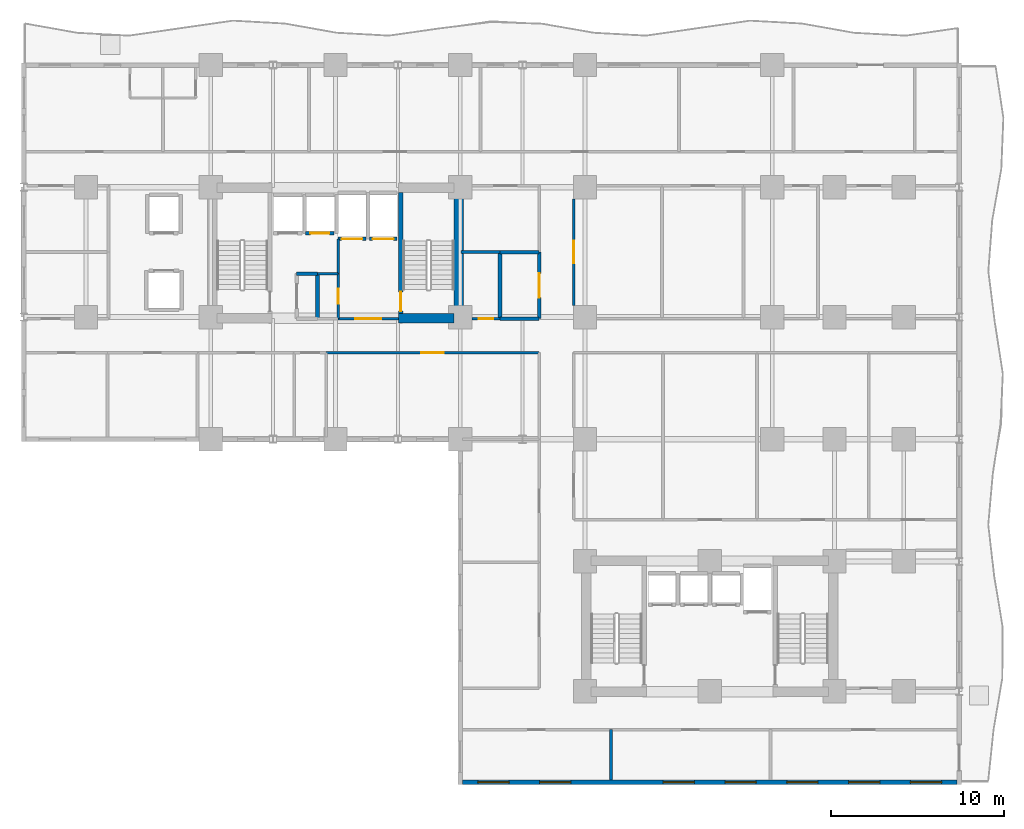
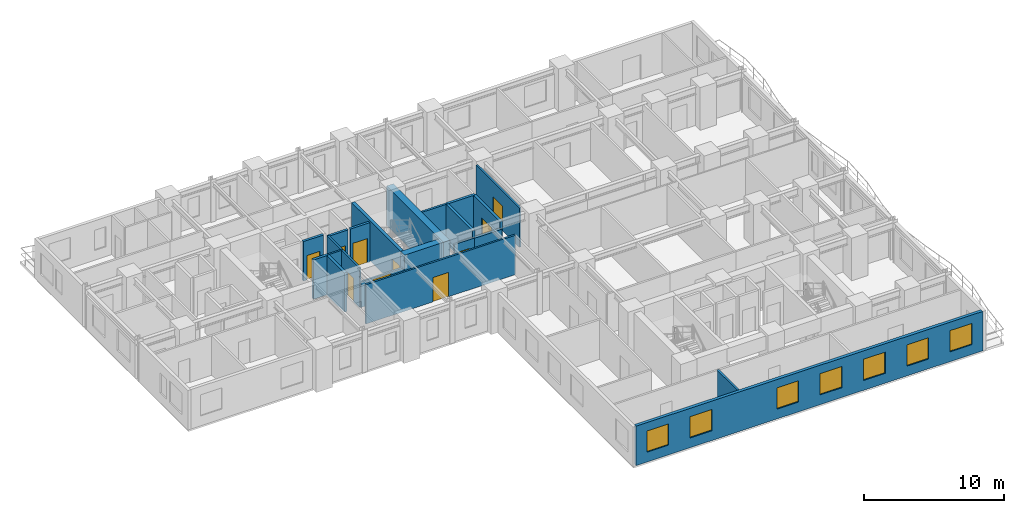
# One storey, part 4 of 11: 22 walls, 10 doors, 7 windows, 17 openings.
"""IFC4 building model written with IfcOpenShell, lengths in metres."""

from ifc_helpers import new_model, si_unit, direction, frame, frame_2d, origin, place, context, subcontext, project, spatial, rectangle, extrude, material, layer, layer_set, type_object, element, fill, save


model = new_model("IFC4")

# Units and contexts
model_context = context("Model", 3, precision=1e-05, world=origin(), true_north=direction((0.0, 1.0)))
body_context = subcontext(model_context, "Body", "Model", "MODEL_VIEW")
ifc_project = project(units=[si_unit("LENGTHUNIT", "METRE"), si_unit("AREAUNIT", "SQUARE_METRE"), si_unit("VOLUMEUNIT", "CUBIC_METRE"), si_unit("PLANEANGLEUNIT", "RADIAN"), si_unit("MASSUNIT", "GRAM", prefix="KILO")], contexts=[model_context])

# Site, building, storey
site_placement = place(None, origin())
site = spatial("IfcSite", under=ifc_project, at=site_placement, CompositionType="ELEMENT")
building_placement = place(site_placement, origin())
building = spatial("IfcBuilding", under=site, at=building_placement, Name="Kaliganga Portal Commons", CompositionType="ELEMENT")
storey_placement = place(building_placement, frame((0.0, 0.0, 40.10009765625)))
storey = spatial("IfcBuildingStorey", under=building, at=storey_placement, Name="L09", CompositionType="ELEMENT", Elevation=40.10009765625)

# Walls
ifc_material_1 = material(Name="Concrete C60/75", Category="concrete")
ifc_layer_1 = layer(ifc_material_1, 0.550048828125)
ifc_layer_set_1 = layer_set([ifc_layer_1], Name="Concrete C60/75")
wall_type_1 = type_object("IfcWallType", Name="WL-CORE-550", PredefinedType="SHEAR", material=ifc_layer_set_1)
wall_1_placement = place(storey_placement, frame((28.72509765625, 28.300048828125, 0.0), z_axis=(0.0, 0.0, 1.0), x_axis=(0.0, 1.0, 0.0)))
element("IfcWall", 1, at=wall_1_placement, inside=storey, type_object=wall_type_1, Name="Core A East Shear Wall L09", PredefinedType="SHEAR", context=body_context, shape_type="SweptSolid", body=[
    extrude(rectangle(XDim=8.099853515625, YDim=0.550048828125, at=frame_2d((4.0498046875, 0.0))), origin(), (0.0, 0.0, 1.0), 3.449951171875),
])
wall_2_placement = place(storey_placement, frame((25.25, 28.574951171875, 0.0), z_axis=(0.0, 0.0, 1.0), x_axis=(1.0, 0.0, 0.0)))
element("IfcWall", 2, at=wall_2_placement, inside=storey, type_object=wall_type_1, Name="Core A S-East Shear Wall L09", PredefinedType="SHEAR", context=body_context, shape_type="SweptSolid", body=[
    extrude(rectangle(XDim=3.199951171875, YDim=0.550048828125, at=frame_2d((1.60009765625, 0.0))), origin(), (0.0, 0.0, 1.0), 3.449951171875),
])

# Wall, openings, windows
ifc_material_2 = material(Name="Insulated Aluminium-Clad Spandrel Assembly", Category="aluminium")
ifc_layer_2 = layer(ifc_material_2, 0.260009765625)
ifc_layer_set_2 = layer_set([ifc_layer_2], Name="Insulated Aluminium-Clad Spandrel Assembly")
wall_type_2 = type_object("IfcWallType", Name="WL-EXT-SPAND-260", PredefinedType="STANDARD", material=ifc_layer_set_2)
wall_3_placement = place(storey_placement, frame((57.465087890625, 1.800048828125, 0.0), z_axis=(0.0, 0.0, 1.0), x_axis=(-1.0, 0.0, 0.0)))
wall_3 = element("IfcWall", 3, at=wall_3_placement, inside=storey, type_object=wall_type_2, Name="Exterior Envelope Wall L09 P1-E00-S1", PredefinedType="STANDARD", context=body_context, shape_type="SweptSolid", body=[
    extrude(rectangle(XDim=28.530029296875, YDim=0.260009765625, at=frame_2d((14.26513671875, 0.0))), origin(), (0.0, 0.0, 1.0), 3.429931640625),
])
opening_1_placement = place(wall_3_placement, frame((0.883056640625, 0.0, 0.85009765625)))
opening_1 = element("IfcOpeningElement", 4, at=opening_1_placement, cuts=wall_3, Name="Opening W-01", PredefinedType="OPENING", context=body_context, shape_type="SweptSolid", body=[
    extrude(rectangle(XDim=1.800048828125, YDim=1.85009765625, at=frame_2d((0.89990234375, 0.925048828125))), frame((0.0, 0.14013671875, 0.0), z_axis=(0.0, -1.0, 0.0), x_axis=(1.0, 0.0, 0.0)), (0.0, 0.0, 1.0), 0.280029296875),
])
opening_2_placement = place(wall_3_placement, frame((4.449462890625, 0.0, 0.85009765625)))
opening_2 = element("IfcOpeningElement", 5, at=opening_2_placement, cuts=wall_3, Name="Opening W-01", PredefinedType="OPENING", context=body_context, shape_type="SweptSolid", body=[
    extrude(rectangle(XDim=1.800048828125, YDim=1.85009765625, at=frame_2d((0.89990234375, 0.925048828125))), frame((0.0, 0.14013671875, 0.0), z_axis=(0.0, -1.0, 0.0), x_axis=(1.0, 0.0, 0.0)), (0.0, 0.0, 1.0), 0.280029296875),
])
opening_3_placement = place(wall_3_placement, frame((8.015625, 0.0, 0.85009765625)))
opening_3 = element("IfcOpeningElement", 6, at=opening_3_placement, cuts=wall_3, Name="Opening W-01", PredefinedType="OPENING", context=body_context, shape_type="SweptSolid", body=[
    extrude(rectangle(XDim=1.800048828125, YDim=1.85009765625, at=frame_2d((0.89990234375, 0.925048828125))), frame((0.0, 0.14013671875, 0.0), z_axis=(0.0, -1.0, 0.0), x_axis=(1.0, 0.0, 0.0)), (0.0, 0.0, 1.0), 0.280029296875),
])
opening_4_placement = place(wall_3_placement, frame((11.581787109375, 0.0, 0.85009765625)))
opening_4 = element("IfcOpeningElement", 7, at=opening_4_placement, cuts=wall_3, Name="Opening W-01", PredefinedType="OPENING", context=body_context, shape_type="SweptSolid", body=[
    extrude(rectangle(XDim=1.800048828125, YDim=1.85009765625, at=frame_2d((0.89990234375, 0.925048828125))), frame((0.0, 0.14013671875, 0.0), z_axis=(0.0, -1.0, 0.0), x_axis=(1.0, 0.0, 0.0)), (0.0, 0.0, 1.0), 0.280029296875),
])
opening_5_placement = place(wall_3_placement, frame((15.148193359375, 0.0, 0.85009765625)))
opening_5 = element("IfcOpeningElement", 8, at=opening_5_placement, cuts=wall_3, Name="Opening W-01", PredefinedType="OPENING", context=body_context, shape_type="SweptSolid", body=[
    extrude(rectangle(XDim=1.800048828125, YDim=1.85009765625, at=frame_2d((0.89990234375, 0.925048828125))), frame((0.0, 0.14013671875, 0.0), z_axis=(0.0, -1.0, 0.0), x_axis=(1.0, 0.0, 0.0)), (0.0, 0.0, 1.0), 0.280029296875),
])
opening_6_placement = place(wall_3_placement, frame((22.280517578125, 0.0, 0.85009765625)))
opening_6 = element("IfcOpeningElement", 9, at=opening_6_placement, cuts=wall_3, Name="Opening W-01", PredefinedType="OPENING", context=body_context, shape_type="SweptSolid", body=[
    extrude(rectangle(XDim=1.800048828125, YDim=1.85009765625, at=frame_2d((0.89990234375, 0.925048828125))), frame((0.0, 0.14013671875, 0.0), z_axis=(0.0, -1.0, 0.0), x_axis=(1.0, 0.0, 0.0)), (0.0, 0.0, 1.0), 0.280029296875),
])
opening_7_placement = place(wall_3_placement, frame((25.846923828125, 0.0, 0.85009765625)))
opening_7 = element("IfcOpeningElement", 10, at=opening_7_placement, cuts=wall_3, Name="Opening W-01", PredefinedType="OPENING", context=body_context, shape_type="SweptSolid", body=[
    extrude(rectangle(XDim=1.800048828125, YDim=1.85009765625, at=frame_2d((0.89990234375, 0.925048828125))), frame((0.0, 0.14013671875, 0.0), z_axis=(0.0, -1.0, 0.0), x_axis=(1.0, 0.0, 0.0)), (0.0, 0.0, 1.0), 0.280029296875),
])
ifc_material_3 = material(Name="Thermally Broken Aluminium and Low-E Double Glazing", Category="aluminium")
window_type = type_object("IfcWindowType", Name="WIN-STD-1800", PartitioningType="DOUBLE_PANEL_VERTICAL", PredefinedType="WINDOW", material=ifc_material_3)
window_1_placement = place(opening_1_placement, origin())
window_1 = element("IfcWindow", 11, at=window_1_placement, inside=storey, type_object=window_type, Name="Facade Window L09-P1E00S1-00", OverallHeight=1.85009765625, OverallWidth=1.800048828125, PartitioningType="SINGLE_PANEL", PredefinedType="WINDOW", context=body_context, shape_type="SweptSolid", body=[
    extrude(rectangle(XDim=1.800048828125, YDim=1.85009765625, at=frame_2d((0.89990234375, 0.925048828125))), frame((0.0, 0.030029296875, 0.0), z_axis=(0.0, -1.0, 0.0), x_axis=(1.0, 0.0, 0.0)), (0.0, 0.0, 1.0), 0.06005859375),
])
fill(opening_1, window_1)
window_2_placement = place(opening_2_placement, origin())
window_2 = element("IfcWindow", 12, at=window_2_placement, inside=storey, type_object=window_type, Name="Facade Window L09-P1E00S1-01", OverallHeight=1.85009765625, OverallWidth=1.800048828125, PartitioningType="SINGLE_PANEL", PredefinedType="WINDOW", context=body_context, shape_type="SweptSolid", body=[
    extrude(rectangle(XDim=1.800048828125, YDim=1.85009765625, at=frame_2d((0.89990234375, 0.925048828125))), frame((0.0, 0.030029296875, 0.0), z_axis=(0.0, -1.0, 0.0), x_axis=(1.0, 0.0, 0.0)), (0.0, 0.0, 1.0), 0.06005859375),
])
fill(opening_2, window_2)
window_3_placement = place(opening_3_placement, origin())
window_3 = element("IfcWindow", 13, at=window_3_placement, inside=storey, type_object=window_type, Name="Facade Window L09-P1E00S1-02", OverallHeight=1.85009765625, OverallWidth=1.800048828125, PartitioningType="SINGLE_PANEL", PredefinedType="WINDOW", context=body_context, shape_type="SweptSolid", body=[
    extrude(rectangle(XDim=1.800048828125, YDim=1.85009765625, at=frame_2d((0.89990234375, 0.925048828125))), frame((0.0, 0.030029296875, 0.0), z_axis=(0.0, -1.0, 0.0), x_axis=(1.0, 0.0, 0.0)), (0.0, 0.0, 1.0), 0.06005859375),
])
fill(opening_3, window_3)
window_4_placement = place(opening_4_placement, origin())
window_4 = element("IfcWindow", 14, at=window_4_placement, inside=storey, type_object=window_type, Name="Facade Window L09-P1E00S1-03", OverallHeight=1.85009765625, OverallWidth=1.800048828125, PartitioningType="SINGLE_PANEL", PredefinedType="WINDOW", context=body_context, shape_type="SweptSolid", body=[
    extrude(rectangle(XDim=1.800048828125, YDim=1.85009765625, at=frame_2d((0.89990234375, 0.925048828125))), frame((0.0, 0.030029296875, 0.0), z_axis=(0.0, -1.0, 0.0), x_axis=(1.0, 0.0, 0.0)), (0.0, 0.0, 1.0), 0.06005859375),
])
fill(opening_4, window_4)
window_5_placement = place(opening_5_placement, origin())
window_5 = element("IfcWindow", 15, at=window_5_placement, inside=storey, type_object=window_type, Name="Facade Window L09-P1E00S1-04", OverallHeight=1.85009765625, OverallWidth=1.800048828125, PartitioningType="SINGLE_PANEL", PredefinedType="WINDOW", context=body_context, shape_type="SweptSolid", body=[
    extrude(rectangle(XDim=1.800048828125, YDim=1.85009765625, at=frame_2d((0.89990234375, 0.925048828125))), frame((0.0, 0.030029296875, 0.0), z_axis=(0.0, -1.0, 0.0), x_axis=(1.0, 0.0, 0.0)), (0.0, 0.0, 1.0), 0.06005859375),
])
fill(opening_5, window_5)
window_6_placement = place(opening_6_placement, origin())
window_6 = element("IfcWindow", 16, at=window_6_placement, inside=storey, type_object=window_type, Name="Facade Window L09-P1E00S1-06", OverallHeight=1.85009765625, OverallWidth=1.800048828125, PartitioningType="SINGLE_PANEL", PredefinedType="WINDOW", context=body_context, shape_type="SweptSolid", body=[
    extrude(rectangle(XDim=1.800048828125, YDim=1.85009765625, at=frame_2d((0.89990234375, 0.925048828125))), frame((0.0, 0.030029296875, 0.0), z_axis=(0.0, -1.0, 0.0), x_axis=(1.0, 0.0, 0.0)), (0.0, 0.0, 1.0), 0.06005859375),
])
fill(opening_6, window_6)
window_7_placement = place(opening_7_placement, origin())
window_7 = element("IfcWindow", 17, at=window_7_placement, inside=storey, type_object=window_type, Name="Facade Window L09-P1E00S1-07", OverallHeight=1.85009765625, OverallWidth=1.800048828125, PartitioningType="SINGLE_PANEL", PredefinedType="WINDOW", context=body_context, shape_type="SweptSolid", body=[
    extrude(rectangle(XDim=1.800048828125, YDim=1.85009765625, at=frame_2d((0.89990234375, 0.925048828125))), frame((0.0, 0.030029296875, 0.0), z_axis=(0.0, -1.0, 0.0), x_axis=(1.0, 0.0, 0.0)), (0.0, 0.0, 1.0), 0.06005859375),
])
fill(opening_7, window_7)

# Wall, opening, door
ifc_material_4 = material(Name="Fire-Rated Gypsum Board on Steel Stud", Category="steel")
ifc_layer_3 = layer(ifc_material_4, 0.14990234375)
ifc_layer_set_3 = layer_set([ifc_layer_3], Name="Fire-Rated Gypsum Board on Steel Stud")
wall_type_3 = type_object("IfcWallType", Name="WL-PART-CORR-150", PredefinedType="PARTITIONING", material=ifc_layer_set_3)
wall_4_placement = place(storey_placement, frame((21.06005859375, 26.60009765625, 0.0), z_axis=(0.0, 0.0, 1.0), x_axis=(1.0, 0.0, 0.0)))
wall_4 = element("IfcWall", 18, at=wall_4_placement, inside=storey, type_object=wall_type_3, Name="Interior Partition L09-006", PredefinedType="PARTITIONING", context=body_context, shape_type="SweptSolid", body=[
    extrude(rectangle(XDim=12.300048828125, YDim=0.14990234375, at=frame_2d((6.14990234375, 0.0))), origin(), (0.0, 0.0, 1.0), 3.429931640625),
])
opening_8_placement = place(wall_4_placement, frame((5.5, 0.0, 0.0)))
opening_8 = element("IfcOpeningElement", 19, at=opening_8_placement, cuts=wall_4, Name="Opening RD-03", PredefinedType="OPENING", context=body_context, shape_type="SweptSolid", body=[
    extrude(rectangle(XDim=1.300048828125, YDim=2.1201171875, at=frame_2d((0.64990234375, 1.06005859375))), frame((0.0, 0.0849609375, 0.0), z_axis=(0.0, -1.0, 0.0), x_axis=(1.0, 0.0, 0.0)), (0.0, 0.0, 1.0), 0.169921875),
])
ifc_material_5 = material(Name="Glazed Timber Seminar Vision Door", Category="wood")
door_type_1 = type_object("IfcDoorType", Name="DR-STUDY-1300", OperationType="DOUBLE_DOOR_SINGLE_SWING", PredefinedType="DOOR", material=ifc_material_5)
door_1_placement = place(opening_8_placement, origin())
door_1 = element("IfcDoor", 20, at=door_1_placement, inside=storey, type_object=door_type_1, Name="Interior Door L09-AS05", OperationType="DOUBLE_DOOR_SINGLE_SWING", OverallHeight=2.1201171875, OverallWidth=1.300048828125, PredefinedType="DOOR", context=body_context, shape_type="SweptSolid", body=[
    extrude(rectangle(XDim=1.300048828125, YDim=2.1201171875, at=frame_2d((0.64990234375, 1.06005859375))), frame((0.0, 0.02490234375, 0.0), z_axis=(0.0, -1.0, 0.0), x_axis=(1.0, 0.0, 0.0)), (0.0, 0.0, 1.0), 0.050048828125),
])
fill(opening_8, door_1)

wall_5_placement = place(storey_placement, frame((35.360107421875, 29.324951171875, 0.0), z_axis=(0.0, 0.0, 1.0), x_axis=(0.0, 1.0, 0.0)))
wall_5 = element("IfcWall", 21, at=wall_5_placement, inside=storey, type_object=wall_type_3, Name="Interior Partition L09-018", PredefinedType="PARTITIONING", context=body_context, shape_type="SweptSolid", body=[
    extrude(rectangle(XDim=6.150146484375, YDim=0.14990234375, at=frame_2d((3.0751953125, 0.0))), origin(), (0.0, 0.0, 1.0), 3.429931640625),
])
opening_9_placement = place(wall_5_placement, frame((2.425048828125, 0.0, 0.0)))
opening_9 = element("IfcOpeningElement", 22, at=opening_9_placement, cuts=wall_5, Name="Opening RD-03", PredefinedType="OPENING", context=body_context, shape_type="SweptSolid", body=[
    extrude(rectangle(XDim=1.300048828125, YDim=2.1201171875, at=frame_2d((0.64990234375, 1.06005859375))), frame((0.0, 0.0849609375, 0.0), z_axis=(0.0, -1.0, 0.0), x_axis=(1.0, 0.0, 0.0)), (0.0, 0.0, 1.0), 0.169921875),
])
door_2_placement = place(opening_9_placement, origin())
door_2 = element("IfcDoor", 23, at=door_2_placement, inside=storey, type_object=door_type_1, Name="Interior Door L09-BK01", OperationType="DOUBLE_DOOR_SINGLE_SWING", OverallHeight=2.1201171875, OverallWidth=1.300048828125, PredefinedType="DOOR", context=body_context, shape_type="SweptSolid", body=[
    extrude(rectangle(XDim=1.300048828125, YDim=2.1201171875, at=frame_2d((0.64990234375, 1.06005859375))), frame((0.0, 0.02490234375, 0.0), z_axis=(0.0, -1.0, 0.0), x_axis=(1.0, 0.0, 0.0)), (0.0, 0.0, 1.0), 0.050048828125),
])
fill(opening_9, door_2)

wall_6_placement = place(storey_placement, frame((21.760009765625, 28.56005859375, 0.0), z_axis=(0.0, 0.0, 1.0), x_axis=(0.0, 1.0, 0.0)))
wall_6 = element("IfcWall", 24, at=wall_6_placement, inside=storey, type_object=wall_type_3, Name="Interior Partition L09-050", PredefinedType="PARTITIONING", context=body_context, shape_type="SweptSolid", body=[
    extrude(rectangle(XDim=2.599853515625, YDim=0.14990234375, at=frame_2d((1.2998046875, 0.0))), origin(), (0.0, 0.0, 1.0), 3.429931640625),
])
opening_10_placement = place(wall_6_placement, frame((0.8701171875, 0.0, 0.0)))
opening_10 = element("IfcOpeningElement", 25, at=opening_10_placement, cuts=wall_6, Name="Opening WD-02", PredefinedType="OPENING", context=body_context, shape_type="SweptSolid", body=[
    extrude(rectangle(XDim=0.860107421875, YDim=2.02001953125, at=frame_2d((0.43017578125, 1.010009765625))), frame((0.0, 0.0849609375, 0.0), z_axis=(0.0, -1.0, 0.0), x_axis=(1.0, 0.0, 0.0)), (0.0, 0.0, 1.0), 0.169921875),
])
ifc_material_6 = material(Name="Fire-Rated Utility Closet Door", Category="wood")
door_type_2 = type_object("IfcDoorType", Name="DR-STORE-800", OperationType="NOTDEFINED", PredefinedType="DOOR", material=ifc_material_6)
door_3_placement = place(opening_10_placement, origin())
door_3 = element("IfcDoor", 26, at=door_3_placement, inside=storey, type_object=door_type_2, Name="Interior Door L09-CIN_A2", OperationType="SINGLE_SWING_LEFT", OverallHeight=2.02001953125, OverallWidth=0.860107421875, PredefinedType="DOOR", context=body_context, shape_type="SweptSolid", body=[
    extrude(rectangle(XDim=0.860107421875, YDim=2.02001953125, at=frame_2d((0.43017578125, 1.010009765625))), frame((0.0, 0.02490234375, 0.0), z_axis=(0.0, -1.0, 0.0), x_axis=(1.0, 0.0, 0.0)), (0.0, 0.0, 1.0), 0.050048828125),
])
fill(opening_10, door_3)

wall_7_placement = place(storey_placement, frame((29.47509765625, 28.56005859375, 0.0), z_axis=(0.0, 0.0, 1.0), x_axis=(1.0, 0.0, 0.0)))
wall_7 = element("IfcWall", 27, at=wall_7_placement, inside=storey, type_object=wall_type_3, Name="Interior Partition L09-052", PredefinedType="PARTITIONING", context=body_context, shape_type="SweptSolid", body=[
    extrude(rectangle(XDim=1.625, YDim=0.14990234375, at=frame_2d((0.8125, 0.0))), origin(), (0.0, 0.0, 1.0), 2.77978515625),
])
opening_11_placement = place(wall_7_placement, frame((0.382568359375, 0.0, 0.0)))
opening_11 = element("IfcOpeningElement", 28, at=opening_11_placement, cuts=wall_7, Name="Opening WD-02", PredefinedType="OPENING", context=body_context, shape_type="SweptSolid", body=[
    extrude(rectangle(XDim=0.860107421875, YDim=2.02001953125, at=frame_2d((0.43017578125, 1.010009765625))), frame((0.0, 0.0849609375, 0.0), z_axis=(0.0, -1.0, 0.0), x_axis=(1.0, 0.0, 0.0)), (0.0, 0.0, 1.0), 0.169921875),
])
door_4_placement = place(opening_11_placement, origin())
door_4 = element("IfcDoor", 29, at=door_4_placement, inside=storey, type_object=door_type_2, Name="Interior Door L09-CSRV_A1", OperationType="SINGLE_SWING_LEFT", OverallHeight=2.02001953125, OverallWidth=0.860107421875, PredefinedType="DOOR", context=body_context, shape_type="SweptSolid", body=[
    extrude(rectangle(XDim=0.860107421875, YDim=2.02001953125, at=frame_2d((0.43017578125, 1.010009765625))), frame((0.0, 0.02490234375, 0.0), z_axis=(0.0, -1.0, 0.0), x_axis=(1.0, 0.0, 0.0)), (0.0, 0.0, 1.0), 0.050048828125),
])
fill(opening_11, door_4)

# Wall
wall_8_placement = place(storey_placement, frame((20.56005859375, 31.159912109375, 0.0), z_axis=(0.0, 0.0, 1.0), x_axis=(1.0, 0.0, 0.0)))
element("IfcWall", 30, at=wall_8_placement, inside=storey, type_object=wall_type_3, Name="Interior Partition L09-056", PredefinedType="PARTITIONING", context=body_context, shape_type="SweptSolid", body=[
    extrude(rectangle(XDim=1.199951171875, YDim=0.14990234375, at=frame_2d((0.60009765625, 0.0))), origin(), (0.0, 0.0, 1.0), 3.429931640625),
])

# Wall, opening, door
wall_9_placement = place(storey_placement, frame((21.760009765625, 28.56005859375, 0.0), z_axis=(0.0, 0.0, 1.0), x_axis=(1.0, 0.0, 0.0)))
wall_9 = element("IfcWall", 31, at=wall_9_placement, inside=storey, type_object=wall_type_3, Name="Interior Partition L09-088", PredefinedType="PARTITIONING", context=body_context, shape_type="SweptSolid", body=[
    extrude(rectangle(XDim=3.47998046875, YDim=0.14990234375, at=frame_2d((1.739990234375, 0.0))), origin(), (0.0, 0.0, 1.0), 2.22998046875),
])
opening_12_placement = place(wall_9_placement, frame((0.989990234375, 0.0, 0.0)))
opening_12 = element("IfcOpeningElement", 32, at=opening_12_placement, cuts=wall_9, Name="Opening FD-01", PredefinedType="OPENING", context=body_context, shape_type="SweptSolid", body=[
    extrude(rectangle(XDim=1.5, YDim=2.10009765625, at=frame_2d((0.75, 1.050048828125))), frame((0.0, 0.0849609375, 0.0), z_axis=(0.0, -1.0, 0.0), x_axis=(1.0, 0.0, 0.0)), (0.0, 0.0, 1.0), 0.169921875),
])
ifc_material_7 = material(Name="Fire-Rated Hardwood and Georgian-Wired Vision Panel", Category="wood")
door_type_3 = type_object("IfcDoorType", Name="DR-LOBBY-1500", OperationType="DOUBLE_DOOR_SINGLE_SWING", PredefinedType="DOOR", material=ifc_material_7)
door_5_placement = place(opening_12_placement, origin())
door_5 = element("IfcDoor", 33, at=door_5_placement, inside=storey, type_object=door_type_3, Name="Interior Door L09-FFLOB_A", OperationType="DOUBLE_DOOR_SINGLE_SWING", OverallHeight=2.10009765625, OverallWidth=1.5, PredefinedType="DOOR", context=body_context, shape_type="SweptSolid", body=[
    extrude(rectangle(XDim=1.5, YDim=2.10009765625, at=frame_2d((0.75, 1.050048828125))), frame((0.0, 0.02490234375, 0.0), z_axis=(0.0, -1.0, 0.0), x_axis=(1.0, 0.0, 0.0)), (0.0, 0.0, 1.0), 0.050048828125),
])
fill(opening_12, door_5)

# Wall
wall_10_placement = place(storey_placement, frame((21.760009765625, 31.159912109375, 0.0), z_axis=(0.0, 0.0, 1.0), x_axis=(0.0, 1.0, 0.0)))
element("IfcWall", 34, at=wall_10_placement, inside=storey, type_object=wall_type_3, Name="Interior Partition L09-095", PredefinedType="PARTITIONING", context=body_context, shape_type="SweptSolid", body=[
    extrude(rectangle(XDim=2.0, YDim=0.14990234375, at=frame_2d((1.0, 0.0))), origin(), (0.0, 0.0, 1.0), 3.429931640625),
])

# Wall, opening, door
ifc_material_8 = material(Name="Lightweight blockwork masonry", Category="masonry")
ifc_layer_4 = layer(ifc_material_8, 0.215087890625)
ifc_layer_set_4 = layer_set([ifc_layer_4], Name="Lightweight blockwork masonry")
wall_type_4 = type_object("IfcWallType", Name="WL-PART-PLANT-215", PredefinedType="PARTITIONING", material=ifc_layer_set_4)
wall_11_placement = place(storey_placement, frame((33.360107421875, 28.56005859375, 0.0), z_axis=(0.0, 0.0, 1.0), x_axis=(0.0, 1.0, 0.0)))
wall_11 = element("IfcWall", 35, at=wall_11_placement, inside=storey, type_object=wall_type_4, Name="Interior Partition L09-048", PredefinedType="PARTITIONING", context=body_context, shape_type="SweptSolid", body=[
    extrude(rectangle(XDim=3.83984375, YDim=0.215087890625, at=frame_2d((1.919921875, 0.0))), origin(), (0.0, 0.0, 1.0), 3.429931640625),
])
opening_13_placement = place(wall_11_placement, frame((1.219970703125, 0.0, 0.0)))
opening_13 = element("IfcOpeningElement", 36, at=opening_13_placement, cuts=wall_11, Name="Opening PD-01", PredefinedType="OPENING", context=body_context, shape_type="SweptSolid", body=[
    extrude(rectangle(XDim=1.39990234375, YDim=2.14990234375, at=frame_2d((0.699951171875, 1.074951171875))), frame((0.0, 0.11767578125, 0.0), z_axis=(0.0, -1.0, 0.0), x_axis=(1.0, 0.0, 0.0)), (0.0, 0.0, 1.0), 0.235107421875),
])
ifc_material_9 = material(Name="Heavy-Duty Steel Acoustic Louvre Fire Door", Category="steel")
door_type_4 = type_object("IfcDoorType", Name="DR-PLANT-1400", OperationType="DOUBLE_DOOR_SINGLE_SWING", PredefinedType="DOOR", material=ifc_material_9)
door_6_placement = place(opening_13_placement, origin())
door_6 = element("IfcDoor", 37, at=door_6_placement, inside=storey, type_object=door_type_4, Name="Interior Door L09-CSRV_A3", OperationType="DOUBLE_DOOR_SINGLE_SWING", OverallHeight=2.14990234375, OverallWidth=1.39990234375, PredefinedType="DOOR", context=body_context, shape_type="SweptSolid", body=[
    extrude(rectangle(XDim=1.39990234375, YDim=2.14990234375, at=frame_2d((0.699951171875, 1.074951171875))), frame((0.0, 0.02490234375, 0.0), z_axis=(0.0, -1.0, 0.0), x_axis=(1.0, 0.0, 0.0)), (0.0, 0.0, 1.0), 0.050048828125),
])
fill(opening_13, door_6)

# Walls
wall_12_placement = place(storey_placement, frame((31.10009765625, 28.56005859375, 0.0), z_axis=(0.0, 0.0, 1.0), x_axis=(1.0, 0.0, 0.0)))
element("IfcWall", 38, at=wall_12_placement, inside=storey, type_object=wall_type_4, Name="Interior Partition L09-053", PredefinedType="PARTITIONING", context=body_context, shape_type="SweptSolid", body=[
    extrude(rectangle(XDim=2.260009765625, YDim=0.215087890625, at=frame_2d((1.1298828125, 0.0))), origin(), (0.0, 0.0, 1.0), 2.77978515625),
])
wall_13_placement = place(storey_placement, frame((19.360107421875, 31.159912109375, 0.0), z_axis=(0.0, 0.0, 1.0), x_axis=(1.0, 0.0, 0.0)))
element("IfcWall", 39, at=wall_13_placement, inside=storey, type_object=wall_type_4, Name="Interior Partition L09-058", PredefinedType="PARTITIONING", context=body_context, shape_type="SweptSolid", body=[
    extrude(rectangle(XDim=1.199951171875, YDim=0.215087890625, at=frame_2d((0.60009765625, 0.0))), origin(), (0.0, 0.0, 1.0), 3.429931640625),
])
wall_14_placement = place(storey_placement, frame((31.10009765625, 28.56005859375, 0.0), z_axis=(0.0, 0.0, 1.0), x_axis=(0.0, 1.0, 0.0)))
element("IfcWall", 40, at=wall_14_placement, inside=storey, type_object=wall_type_4, Name="Interior Partition L09-087", PredefinedType="PARTITIONING", context=body_context, shape_type="SweptSolid", body=[
    extrude(rectangle(XDim=3.83984375, YDim=0.215087890625, at=frame_2d((1.919921875, 0.0))), origin(), (0.0, 0.0, 1.0), 3.429931640625),
])
wall_15_placement = place(storey_placement, frame((20.56005859375, 28.56005859375, 0.0), z_axis=(0.0, 0.0, 1.0), x_axis=(0.0, 1.0, 0.0)))
element("IfcWall", 41, at=wall_15_placement, inside=storey, type_object=wall_type_4, Name="Interior Partition L09-092", PredefinedType="PARTITIONING", context=body_context, shape_type="SweptSolid", body=[
    extrude(rectangle(XDim=2.599853515625, YDim=0.215087890625, at=frame_2d((1.2998046875, 0.0))), origin(), (0.0, 0.0, 1.0), 3.429931640625),
])
wall_16_placement = place(storey_placement, frame((31.10009765625, 32.39990234375, 0.0), z_axis=(0.0, 0.0, 1.0), x_axis=(1.0, 0.0, 0.0)))
element("IfcWall", 42, at=wall_16_placement, inside=storey, type_object=wall_type_4, Name="Interior Partition L09-094", PredefinedType="PARTITIONING", context=body_context, shape_type="SweptSolid", body=[
    extrude(rectangle(XDim=2.260009765625, YDim=0.215087890625, at=frame_2d((1.1298828125, 0.0))), origin(), (0.0, 0.0, 1.0), 3.429931640625),
])
ifc_material_10 = material(Name="Twin-Stud Acoustic Gypsum Partition", Category="gypsum")
ifc_layer_5 = layer(ifc_material_10, 0.1650390625)
ifc_layer_set_5 = layer_set([ifc_layer_5], Name="Twin-Stud Acoustic Gypsum Partition")
wall_type_5 = type_object("IfcWallType", Name="WL-PART-UNIT-165", PredefinedType="PARTITIONING", material=ifc_layer_set_5)
wall_17_placement = place(storey_placement, frame((37.5, 1.931884765625, 0.0), z_axis=(0.0, 0.0, 1.0), x_axis=(0.0, 1.0, 0.0)))
element("IfcWall", 43, at=wall_17_placement, inside=storey, type_object=wall_type_5, Name="Interior Partition L09-090", PredefinedType="PARTITIONING", context=body_context, shape_type="SweptSolid", body=[
    extrude(rectangle(XDim=2.908203125, YDim=0.1650390625, at=frame_2d((1.4541015625, 0.0))), origin(), (0.0, 0.0, 1.0), 3.429931640625),
])
wall_18_placement = place(storey_placement, frame((28.840087890625, 32.39990234375, 0.0), z_axis=(0.0, 0.0, 1.0), x_axis=(1.0, 0.0, 0.0)))
element("IfcWall", 44, at=wall_18_placement, inside=storey, type_object=wall_type_5, Name="Interior Partition L09-093", PredefinedType="PARTITIONING", context=body_context, shape_type="SweptSolid", body=[
    extrude(rectangle(XDim=2.260009765625, YDim=0.1650390625, at=frame_2d((1.1298828125, 0.0))), origin(), (0.0, 0.0, 1.0), 3.429931640625),
])

# Wall, opening, door
ifc_material_11 = material(Name="Fire-Rated Shaftwall Masonry Assembly", Category="masonry")
ifc_layer_6 = layer(ifc_material_11, 0.199951171875)
ifc_layer_set_6 = layer_set([ifc_layer_6], Name="Fire-Rated Shaftwall Masonry Assembly")
wall_type_6 = type_object("IfcWallType", Name="WL-SHAFT-200", PredefinedType="PARTITIONING", material=ifc_layer_set_6)
wall_19_placement = place(storey_placement, frame((19.875, 33.485107421875, 0.0), z_axis=(0.0, 0.0, 1.0), x_axis=(1.0, 0.0, 0.0)))
wall_19 = element("IfcWall", 45, at=wall_19_placement, inside=storey, type_object=wall_type_6, Name="Lift PL-A2 Hoistway Shaft Wall L09-S", PredefinedType="PARTITIONING", context=body_context, shape_type="SweptSolid", body=[
    extrude(rectangle(XDim=1.64990234375, YDim=0.199951171875, at=frame_2d((0.824951171875, 0.0))), origin(), (0.0, 0.0, 1.0), 3.429931640625),
])
opening_14_placement = place(wall_19_placement, frame((0.27490234375, 0.0, 0.0)))
opening_14 = element("IfcOpeningElement", 46, at=opening_14_placement, cuts=wall_19, Name="Opening LD-01", PredefinedType="OPENING", context=body_context, shape_type="SweptSolid", body=[
    extrude(rectangle(XDim=1.10009765625, YDim=2.1201171875, at=frame_2d((0.550048828125, 1.06005859375))), frame((0.0, 0.10986328125, 0.0), z_axis=(0.0, -1.0, 0.0), x_axis=(1.0, 0.0, 0.0)), (0.0, 0.0, 1.0), 0.219970703125),
])
ifc_material_12 = material(Name="Brushed Stainless Steel 316 Lift Landing Door", Category="steel")
door_type_5 = type_object("IfcDoorType", Name="DR-LIFT-1100", OperationType="SLIDING_TO_LEFT", PredefinedType="DOOR", material=ifc_material_12)
door_7_placement = place(opening_14_placement, origin())
door_7 = element("IfcDoor", 47, at=door_7_placement, inside=storey, type_object=door_type_5, Name="Lift PL-A2 Sliding Landing Door L09", OperationType="SLIDING_TO_LEFT", OverallHeight=2.1201171875, OverallWidth=1.10009765625, PredefinedType="DOOR", context=body_context, shape_type="SweptSolid", body=[
    extrude(rectangle(XDim=1.10009765625, YDim=2.1201171875, at=frame_2d((0.550048828125, 1.06005859375))), frame((0.0, 0.02490234375, 0.0), z_axis=(0.0, -1.0, 0.0), x_axis=(1.0, 0.0, 0.0)), (0.0, 0.0, 1.0), 0.050048828125),
])
fill(opening_14, door_7)

wall_20_placement = place(storey_placement, frame((21.75, 33.159912109375, 0.0), z_axis=(0.0, 0.0, 1.0), x_axis=(1.0, 0.0, 0.0)))
wall_20 = element("IfcWall", 48, at=wall_20_placement, inside=storey, type_object=wall_type_6, Name="Lift FFL-1 Hoistway Shaft Wall L09-S", PredefinedType="PARTITIONING", context=body_context, shape_type="SweptSolid", body=[
    extrude(rectangle(XDim=1.60009765625, YDim=0.199951171875, at=frame_2d((0.800048828125, 0.0))), origin(), (0.0, 0.0, 1.0), 3.429931640625),
])
opening_15_placement = place(wall_20_placement, frame((0.199951171875, 0.0, 0.0)))
opening_15 = element("IfcOpeningElement", 49, at=opening_15_placement, cuts=wall_20, Name="Opening LD-02", PredefinedType="OPENING", context=body_context, shape_type="SweptSolid", body=[
    extrude(rectangle(XDim=1.199951171875, YDim=2.1201171875, at=frame_2d((0.60009765625, 1.06005859375))), frame((0.0, 0.10986328125, 0.0), z_axis=(0.0, -1.0, 0.0), x_axis=(1.0, 0.0, 0.0)), (0.0, 0.0, 1.0), 0.219970703125),
])
ifc_material_13 = material(Name="Brushed Stainless Steel 316 Stretcher Lift Landing Door", Category="steel")
door_type_6 = type_object("IfcDoorType", Name="DR-LIFT-1200", OperationType="SLIDING_TO_RIGHT", PredefinedType="DOOR", material=ifc_material_13)
door_8_placement = place(opening_15_placement, origin())
door_8 = element("IfcDoor", 50, at=door_8_placement, inside=storey, type_object=door_type_6, Name="Lift FFL-1 Sliding Landing Door L09", OperationType="SLIDING_TO_RIGHT", OverallHeight=2.1201171875, OverallWidth=1.199951171875, PredefinedType="DOOR", context=body_context, shape_type="SweptSolid", body=[
    extrude(rectangle(XDim=1.199951171875, YDim=2.1201171875, at=frame_2d((0.60009765625, 1.06005859375))), frame((0.0, 0.02490234375, 0.0), z_axis=(0.0, -1.0, 0.0), x_axis=(1.0, 0.0, 0.0)), (0.0, 0.0, 1.0), 0.050048828125),
])
fill(opening_15, door_8)

wall_21_placement = place(storey_placement, frame((23.550048828125, 33.159912109375, 0.0), z_axis=(0.0, 0.0, 1.0), x_axis=(1.0, 0.0, 0.0)))
wall_21 = element("IfcWall", 51, at=wall_21_placement, inside=storey, type_object=wall_type_6, Name="Lift FFL-2 Hoistway Shaft Wall L09-S", PredefinedType="PARTITIONING", context=body_context, shape_type="SweptSolid", body=[
    extrude(rectangle(XDim=1.599853515625, YDim=0.199951171875, at=frame_2d((0.7998046875, 0.0))), origin(), (0.0, 0.0, 1.0), 3.429931640625),
])
opening_16_placement = place(wall_21_placement, frame((0.199951171875, 0.0, 0.0)))
opening_16 = element("IfcOpeningElement", 52, at=opening_16_placement, cuts=wall_21, Name="Opening LD-02", PredefinedType="OPENING", context=body_context, shape_type="SweptSolid", body=[
    extrude(rectangle(XDim=1.199951171875, YDim=2.1201171875, at=frame_2d((0.60009765625, 1.06005859375))), frame((0.0, 0.10986328125, 0.0), z_axis=(0.0, -1.0, 0.0), x_axis=(1.0, 0.0, 0.0)), (0.0, 0.0, 1.0), 0.219970703125),
])
door_9_placement = place(opening_16_placement, origin())
door_9 = element("IfcDoor", 53, at=door_9_placement, inside=storey, type_object=door_type_6, Name="Lift FFL-2 Sliding Landing Door L09", OperationType="SLIDING_TO_RIGHT", OverallHeight=2.1201171875, OverallWidth=1.199951171875, PredefinedType="DOOR", context=body_context, shape_type="SweptSolid", body=[
    extrude(rectangle(XDim=1.199951171875, YDim=2.1201171875, at=frame_2d((0.60009765625, 1.06005859375))), frame((0.0, 0.02490234375, 0.0), z_axis=(0.0, -1.0, 0.0), x_axis=(1.0, 0.0, 0.0)), (0.0, 0.0, 1.0), 0.050048828125),
])
fill(opening_16, door_9)

ifc_material_14 = material(Name="Concrete C50/60", Category="concrete")
ifc_layer_7 = layer(ifc_material_14, 0.25)
ifc_layer_set_7 = layer_set([ifc_layer_7], Name="Concrete C50/60")
wall_type_7 = type_object("IfcWallType", Name="WL-STAIR-250", PredefinedType="SHEAR", material=ifc_layer_set_7)
wall_22_placement = place(storey_placement, frame((25.375, 28.85009765625, 0.0), z_axis=(0.0, 0.0, 1.0), x_axis=(0.0, 1.0, 0.0)))
wall_22 = element("IfcWall", 54, at=wall_22_placement, inside=storey, type_object=wall_type_7, Name="Stair A2 Enclosure Shear Wall L09", PredefinedType="SHEAR", context=body_context, shape_type="SweptSolid", body=[
    extrude(rectangle(XDim=7.0, YDim=0.25, at=frame_2d((3.5, 0.0))), origin(), (0.0, 0.0, 1.0), 3.449951171875),
])
opening_17_placement = place(wall_22_placement, frame((0.14990234375, 0.0, 0.0)))
opening_17 = element("IfcOpeningElement", 55, at=opening_17_placement, cuts=wall_22, Name="Opening SD-01", PredefinedType="OPENING", context=body_context, shape_type="SweptSolid", body=[
    extrude(rectangle(XDim=1.10009765625, YDim=2.080078125, at=frame_2d((0.550048828125, 1.0400390625))), frame((0.0, 0.135009765625, 0.0), z_axis=(0.0, -1.0, 0.0), x_axis=(1.0, 0.0, 0.0)), (0.0, 0.0, 1.0), 0.27001953125),
])
ifc_material_15 = material(Name="Galvanized Steel Fire Door Leaf and Frame", Category="steel")
door_type_7 = type_object("IfcDoorType", Name="DR-STAIR-1100", OperationType="NOTDEFINED", PredefinedType="DOOR", material=ifc_material_15)
door_10_placement = place(opening_17_placement, origin())
door_10 = element("IfcDoor", 56, at=door_10_placement, inside=storey, type_object=door_type_7, Name="Protected Stair ST-A2 Fire Door L09", OperationType="SINGLE_SWING_RIGHT", OverallHeight=2.080078125, OverallWidth=1.10009765625, PredefinedType="DOOR", context=body_context, shape_type="SweptSolid", body=[
    extrude(rectangle(XDim=1.10009765625, YDim=2.080078125, at=frame_2d((0.550048828125, 1.0400390625))), frame((0.0, 0.02490234375, 0.0), z_axis=(0.0, -1.0, 0.0), x_axis=(1.0, 0.0, 0.0)), (0.0, 0.0, 1.0), 0.050048828125),
])
fill(opening_17, door_10)

save(model, "model.ifc")
